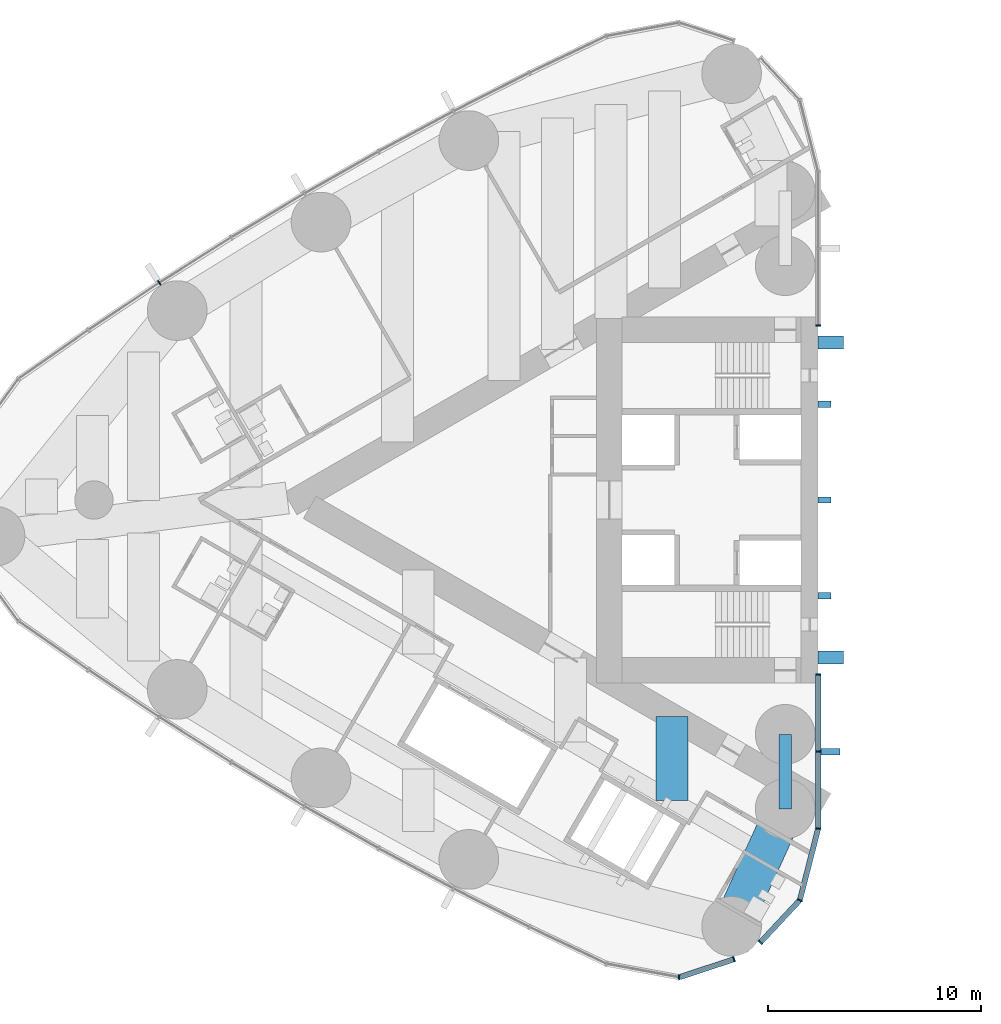
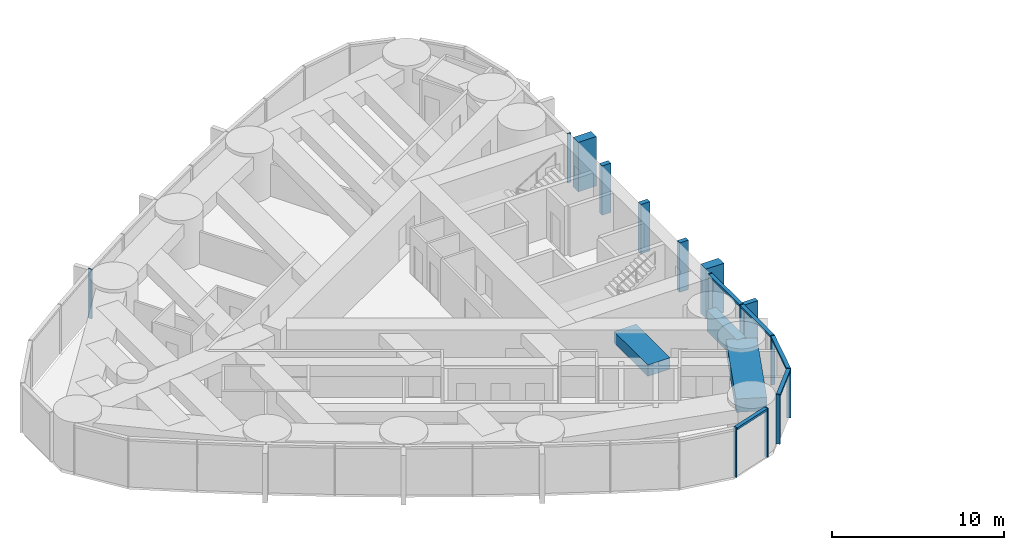
# One storey, part 4 of 19: 20 members, 3 beams, 4 elements without a shape of their own.
"""IFC4 building model written with IfcOpenShell, lengths in metres."""

from ifc_helpers import new_model, si_unit, direction, frame, origin, origin_2d, place, context, subcontext, project, spatial, rectangle, hollow_rectangle, extrude, material, material_profile, profile_set, type_object, element, aggregate, save


model = new_model("IFC4")

# Units and contexts
model_context = context("Model", 3, precision=1e-05, world=origin(), true_north=direction((0.0, 1.0)))
body_context = subcontext(model_context, "Body", "Model", "MODEL_VIEW")
ifc_project = project(units=[si_unit("LENGTHUNIT", "METRE"), si_unit("AREAUNIT", "SQUARE_METRE"), si_unit("VOLUMEUNIT", "CUBIC_METRE"), si_unit("PLANEANGLEUNIT", "RADIAN"), si_unit("MASSUNIT", "GRAM", prefix="KILO")], contexts=[model_context])

# Site, building, storey
site_placement = place(None, origin())
site = spatial("IfcSite", under=ifc_project, at=site_placement, CompositionType="ELEMENT")
building_placement = place(site_placement, origin())
building = spatial("IfcBuilding", under=site, at=building_placement, Name="Lancet Gate Hotel", CompositionType="ELEMENT")
storey_placement = place(building_placement, frame((0.0, 0.0, 159.800048828125)))
storey = spatial("IfcBuildingStorey", under=building, at=storey_placement, Name="L42", CompositionType="ELEMENT", Elevation=159.800048828125)

# Curtain wall, member
ifc_material_1 = material(Name="Aluminium curtain wall", Category="aluminium")
curtain_wall_type = type_object("IfcCurtainWallType", Name="Tower unitised curtain wall", PredefinedType="USERDEFINED", material=ifc_material_1)
curtain_wall_1_placement = place(storey_placement, origin())
curtain_wall_1 = element("IfcCurtainWall", 1, at=curtain_wall_1_placement, inside=storey, type_object=curtain_wall_type, Name="T1 L42 curtain wall 1", ObjectType="UNITISED CURTAIN WALL", PredefinedType="USERDEFINED")
ifc_material_2 = material(Name="Aluminium mullion", Category="aluminium")
ifc_material_profile_1 = material_profile(ifc_material_2, rectangle(XDim=0.06494140625, YDim=0.25, at=origin_2d()), Name="MULLION 65x250")
ifc_profile_set_1 = profile_set([ifc_material_profile_1], Name="Aluminium mullion")
member_type_1 = type_object("IfcMemberType", Name="Aluminium mullion 65x250", PredefinedType="MULLION", material=ifc_profile_set_1)
member_1_placement = place(storey_placement, frame((-27.5, 8.199951171875, 0.0), z_axis=(0.0, 0.0, 1.0), x_axis=(0.0, 1.0, 0.0)))
member_1 = element("IfcMember", 2, at=member_1_placement, type_object=member_type_1, Name="T1 L42 curtain wall 1 mullion 1", PredefinedType="MULLION", context=body_context, shape_type="SweptSolid", body=[
    extrude(rectangle(XDim=0.06494140625, YDim=0.25, at=origin_2d()), origin(), (0.0, 0.0, 1.0), 3.5),
])
aggregate(curtain_wall_1, [member_1])

curtain_wall_2_placement = place(storey_placement, origin())
curtain_wall_2 = element("IfcCurtainWall", 3, at=curtain_wall_2_placement, inside=storey, type_object=curtain_wall_type, Name="T1 L42 curtain wall 2", ObjectType="UNITISED CURTAIN WALL", PredefinedType="USERDEFINED")
member_2_placement = place(storey_placement, frame((-58.43212890625, 10.194091796875, 0.0), z_axis=(0.0, 0.0, 1.0), x_axis=(-0.839331119324, -0.54362052218, 0.0)))
member_2 = element("IfcMember", 4, at=member_2_placement, type_object=member_type_1, Name="T1 L42 curtain wall 2 mullion 9", PredefinedType="MULLION", context=body_context, shape_type="SweptSolid", body=[
    extrude(rectangle(XDim=0.06494140625, YDim=0.25, at=origin_2d()), origin(), (0.0, 0.0, 1.0), 3.5),
])
aggregate(curtain_wall_2, [member_2])

# Curtain wall, members
curtain_wall_3_placement = place(storey_placement, origin())
curtain_wall_3 = element("IfcCurtainWall", 5, at=curtain_wall_3_placement, inside=storey, type_object=curtain_wall_type, Name="T1 L42 curtain wall 3", ObjectType="UNITISED CURTAIN WALL", PredefinedType="USERDEFINED")
member_3_placement = place(storey_placement, frame((-34.02783203125, -22.407470703125, 0.0), z_axis=(0.0, 0.0, 1.0), x_axis=(0.999350473622, 0.036036521361, 0.0)))
member_3 = element("IfcMember", 6, at=member_3_placement, type_object=member_type_1, Name="T1 L42 curtain wall 3 mullion 11", PredefinedType="MULLION", context=body_context, shape_type="SweptSolid", body=[
    extrude(rectangle(XDim=0.06494140625, YDim=0.25, at=origin_2d()), origin(), (0.0, 0.0, 1.0), 3.5),
])
member_4_placement = place(storey_placement, frame((-31.45263671875, -21.5595703125, 0.0), z_axis=(0.0, 0.0, 1.0), x_axis=(0.949848055084, 0.312711803827, 0.0)))
member_4 = element("IfcMember", 7, at=member_4_placement, type_object=member_type_1, Name="T1 L42 curtain wall 3 mullion 12", PredefinedType="MULLION", context=body_context, shape_type="SweptSolid", body=[
    extrude(rectangle(XDim=0.06494140625, YDim=0.25, at=origin_2d()), origin(), (0.0, 0.0, 1.0), 3.5),
])

curtain_wall_4_placement = place(storey_placement, origin())
curtain_wall_4 = element("IfcCurtainWall", 8, at=curtain_wall_4_placement, inside=storey, type_object=curtain_wall_type, Name="T1 L42 curtain wall 4", ObjectType="UNITISED CURTAIN WALL", PredefinedType="USERDEFINED")
member_5_placement = place(storey_placement, frame((-30.210693359375, -20.765625, 0.0), z_axis=(0.0, 0.0, 1.0), x_axis=(0.682844962172, 0.730563315282, 0.0)))
member_5 = element("IfcMember", 9, at=member_5_placement, type_object=member_type_1, Name="T1 L42 curtain wall 4 mullion 1", PredefinedType="MULLION", context=body_context, shape_type="SweptSolid", body=[
    extrude(rectangle(XDim=0.06494140625, YDim=0.25, at=origin_2d()), origin(), (0.0, 0.0, 1.0), 3.5),
])
member_6_placement = place(storey_placement, frame((-28.360595703125, -18.7861328125, 0.0), z_axis=(0.0, 0.0, 1.0), x_axis=(0.452507601198, 0.891760545695, 0.0)))
member_6 = element("IfcMember", 10, at=member_6_placement, type_object=member_type_1, Name="T1 L42 curtain wall 4 mullion 2", PredefinedType="MULLION", context=body_context, shape_type="SweptSolid", body=[
    extrude(rectangle(XDim=0.06494140625, YDim=0.25, at=origin_2d()), origin(), (0.0, 0.0, 1.0), 3.5),
])
member_7_placement = place(storey_placement, frame((-27.5, -15.42333984375, 0.0), z_axis=(0.0, 0.0, 1.0), x_axis=(0.122467472845, 0.992472527627, 0.0)))
member_7 = element("IfcMember", 11, at=member_7_placement, type_object=member_type_1, Name="T1 L42 curtain wall 4 mullion 3", PredefinedType="MULLION", context=body_context, shape_type="SweptSolid", body=[
    extrude(rectangle(XDim=0.06494140625, YDim=0.25, at=origin_2d()), origin(), (0.0, 0.0, 1.0), 3.5),
])
member_8_placement = place(storey_placement, frame((-27.5, -11.811767578125, 0.0), z_axis=(0.0, 0.0, 1.0), x_axis=(0.0, 1.0, 0.0)))
member_8 = element("IfcMember", 12, at=member_8_placement, type_object=member_type_1, Name="T1 L42 curtain wall 4 mullion 4", PredefinedType="MULLION", context=body_context, shape_type="SweptSolid", body=[
    extrude(rectangle(XDim=0.06494140625, YDim=0.25, at=origin_2d()), origin(), (0.0, 0.0, 1.0), 3.5),
])
member_9_placement = place(storey_placement, frame((-27.5, -8.199951171875, 0.0), z_axis=(0.0, 0.0, 1.0), x_axis=(0.0, 1.0, 0.0)))
member_9 = element("IfcMember", 13, at=member_9_placement, type_object=member_type_1, Name="T1 L42 curtain wall 4 mullion 5", PredefinedType="MULLION", context=body_context, shape_type="SweptSolid", body=[
    extrude(rectangle(XDim=0.06494140625, YDim=0.25, at=origin_2d()), origin(), (0.0, 0.0, 1.0), 3.5),
])

# Member
ifc_material_3 = material(Name="Aluminium transom", Category="aluminium")
ifc_material_profile_2 = material_profile(ifc_material_3, rectangle(XDim=0.25, YDim=0.14990234375, at=origin_2d()), Name="TRANSOM 250x150")
ifc_profile_set_2 = profile_set([ifc_material_profile_2], Name="Aluminium transom")
member_type_2 = type_object("IfcMemberType", Name="Aluminium transom 250x150", PredefinedType="USERDEFINED", material=ifc_profile_set_2)
member_10_placement = place(storey_placement, frame((-33.9970703125, -22.397216796875, 3.425048828125), z_axis=(0.949857661259, 0.312682623993, 0.0), x_axis=(-0.312682623993, 0.949857661259, 0.0)))
member_10 = element("IfcMember", 14, at=member_10_placement, type_object=member_type_2, Name="T1 L42 curtain wall 3 transom 11", ObjectType="TRANSOM", PredefinedType="USERDEFINED", context=body_context, shape_type="SweptSolid", body=[
    extrude(rectangle(XDim=0.25, YDim=0.14990234375, at=origin_2d()), origin(), (0.0, 0.0, 1.0), 2.64599609375),
])

aggregate(curtain_wall_3, [member_3, member_4, member_10])

member_11_placement = place(storey_placement, frame((-30.188720703125, -20.741943359375, 3.425048828125), z_axis=(0.682841037959, 0.730566983157, 0.0), x_axis=(-0.730566983157, 0.682841037959, 0.0)))
member_11 = element("IfcMember", 15, at=member_11_placement, type_object=member_type_2, Name="T1 L42 curtain wall 4 transom 1", ObjectType="TRANSOM", PredefinedType="USERDEFINED", context=body_context, shape_type="SweptSolid", body=[
    extrude(rectangle(XDim=0.25, YDim=0.14990234375, at=origin_2d()), origin(), (0.0, 0.0, 1.0), 2.644775390625),
])

member_12_placement = place(storey_placement, frame((-28.3525390625, -18.754638671875, 3.425048828125), z_axis=(0.247928683912, 0.968778286139, 0.0), x_axis=(-0.968778286139, 0.247928683912, 0.0)))
member_12 = element("IfcMember", 16, at=member_12_placement, type_object=member_type_2, Name="T1 L42 curtain wall 4 transom 2", ObjectType="TRANSOM", PredefinedType="USERDEFINED", context=body_context, shape_type="SweptSolid", body=[
    extrude(rectangle(XDim=0.25, YDim=0.14990234375, at=origin_2d()), origin(), (0.0, 0.0, 1.0), 3.40625),
])

member_13_placement = place(storey_placement, frame((-27.5, -15.390869140625, 3.425048828125), z_axis=(0.0, 1.0, 0.0), x_axis=(-1.0, 0.0, 0.0)))
member_13 = element("IfcMember", 17, at=member_13_placement, type_object=member_type_2, Name="T1 L42 curtain wall 4 transom 3", ObjectType="TRANSOM", PredefinedType="USERDEFINED", context=body_context, shape_type="SweptSolid", body=[
    extrude(rectangle(XDim=0.25, YDim=0.14990234375, at=origin_2d()), origin(), (0.0, 0.0, 1.0), 3.546630859375),
])

member_14_placement = place(storey_placement, frame((-27.5, -11.779296875, 3.425048828125), z_axis=(0.0, 1.0, 0.0), x_axis=(-1.0, 0.0, 0.0)))
member_14 = element("IfcMember", 18, at=member_14_placement, type_object=member_type_2, Name="T1 L42 curtain wall 4 transom 4", ObjectType="TRANSOM", PredefinedType="USERDEFINED", context=body_context, shape_type="SweptSolid", body=[
    extrude(rectangle(XDim=0.25, YDim=0.14990234375, at=origin_2d()), origin(), (0.0, 0.0, 1.0), 3.546875),
])

# Beam
ifc_material_4 = material(Name="Concrete C50/60", Category="concrete")
ifc_material_profile_3 = material_profile(ifc_material_4, rectangle(XDim=1.800048828125, YDim=0.949951171875, at=origin_2d()), Name="RC 1800x950")
ifc_profile_set_3 = profile_set([ifc_material_profile_3], Name="Concrete C50/60")
beam_type_1 = type_object("IfcBeamType", Name="Edge beam RC 1800x950", PredefinedType="SPANDREL", material=ifc_profile_set_3)
beam_1_placement = place(storey_placement, frame((-29.050048828125, -14.5, 2.77490234375), z_axis=(-0.414919206993, -0.909858259109, 0.0), x_axis=(0.909858259109, -0.414919206993, 0.0)))
element("IfcBeam", 19, at=beam_1_placement, inside=storey, type_object=beam_type_1, Name="T1 edge beam EB1 L42", PredefinedType="SPANDREL", context=body_context, shape_type="SweptSolid", body=[
    extrude(rectangle(XDim=1.800048828125, YDim=0.949951171875, at=origin_2d()), origin(), (0.0, 0.0, 1.0), 6.062255859375),
])

# Members
ifc_material_5 = material(Name="Concrete C60/75", Category="concrete")
ifc_material_profile_4 = material_profile(ifc_material_5, rectangle(XDim=0.60009765625, YDim=1.199951171875, at=origin_2d()), Name="FIN 600x1200")
ifc_profile_set_4 = profile_set([ifc_material_profile_4], Name="Concrete C60/75")
member_type_3 = type_object("IfcMemberType", Name="Exposed concrete buttress pilaster 600x1200", PredefinedType="USERDEFINED", material=ifc_profile_set_4)
for number, where, z_axis, x_axis, name in (
    (20, (-26.909912109375, 7.39990234375, 0.0), (0.0, 0.0, 1.0), (0.0, 1.0, 0.0), "T1 buttress pilaster S L42"),
    (21, (-26.909912109375, -7.39990234375, 0.0), (0.0, 0.0, 1.0), (0.0, 1.0, 0.0), "T1 buttress pilaster N L42"),
):
    element("IfcMember", number, at=place(storey_placement, frame(where, z_axis=z_axis, x_axis=x_axis)), inside=storey, type_object=member_type_3, Name=name, ObjectType="FIN", PredefinedType="USERDEFINED", context=body_context, shape_type="SweptSolid", body=[
        extrude(rectangle(XDim=0.60009765625, YDim=1.199951171875, at=origin_2d()), origin(), (0.0, 0.0, 1.0), 3.5),
    ])

# Member
ifc_material_6 = material(Name="Precast concrete C50/60", Category="concrete")
ifc_material_profile_5 = material_profile(ifc_material_6, rectangle(XDim=0.300048828125, YDim=0.89990234375, at=origin_2d()), Name="FIN 300x900")
ifc_profile_set_5 = profile_set([ifc_material_profile_5], Name="Precast concrete C50/60")
member_type_4 = type_object("IfcMemberType", Name="Exposed concrete fin 300x900", PredefinedType="USERDEFINED", material=ifc_profile_set_5)
member_15_placement = place(storey_placement, frame((-26.925048828125, -11.811767578125, 0.0), z_axis=(0.0, 0.0, 1.0), x_axis=(0.0, 1.0, 0.0)))
member_15 = element("IfcMember", 22, at=member_15_placement, type_object=member_type_4, Name="T1 L42 curtain wall 4 fin 4", ObjectType="FIN", PredefinedType="USERDEFINED", context=body_context, shape_type="SweptSolid", body=[
    extrude(rectangle(XDim=0.300048828125, YDim=0.89990234375, at=origin_2d()), origin(), (0.0, 0.0, 1.0), 3.5),
])

aggregate(curtain_wall_4, [member_5, member_6, member_7, member_8, member_15, member_9, member_11, member_12, member_13, member_14])

# Members
ifc_material_7 = material(Name="Concrete C60/75", Category="concrete")
ifc_material_profile_6 = material_profile(ifc_material_7, rectangle(XDim=0.300048828125, YDim=0.60009765625, at=origin_2d()), Name="FIN 300x600")
ifc_profile_set_6 = profile_set([ifc_material_profile_6], Name="Concrete C60/75")
member_type_5 = type_object("IfcMemberType", Name="Exposed concrete rib 300x600", PredefinedType="USERDEFINED", material=ifc_profile_set_6)
for number, where, z_axis, x_axis, name in (
    (23, (-27.2099609375, 4.5, 0.0), (0.0, 0.0, 1.0), (0.0, 1.0, 0.0), "T1 core rib 1 L42"),
    (24, (-27.2099609375, 0.0, 0.0), (0.0, 0.0, 1.0), (0.0, 1.0, 0.0), "T1 core rib 2 L42"),
    (25, (-27.2099609375, -4.5, 0.0), (0.0, 0.0, 1.0), (0.0, 1.0, 0.0), "T1 core rib 3 L42"),
):
    element("IfcMember", number, at=place(storey_placement, frame(where, z_axis=z_axis, x_axis=x_axis)), inside=storey, type_object=member_type_5, Name=name, ObjectType="FIN", PredefinedType="USERDEFINED", context=body_context, shape_type="SweptSolid", body=[
        extrude(rectangle(XDim=0.300048828125, YDim=0.60009765625, at=origin_2d()), origin(), (0.0, 0.0, 1.0), 3.5),
    ])

# Beams
ifc_material_8 = material(Name="Concrete C50/60", Category="concrete")
ifc_material_profile_7 = material_profile(ifc_material_8, rectangle(XDim=1.5, YDim=0.800048828125, at=origin_2d()), Name="RC 1500x800")
ifc_profile_set_7 = profile_set([ifc_material_profile_7], Name="Concrete C50/60")
beam_type_2 = type_object("IfcBeamType", Name="Floor beam RC 1500x800", PredefinedType="BEAM", material=ifc_profile_set_7)
beam_2_placement = place(storey_placement, frame((-34.353515625, -10.169921875, 2.849853515625), z_axis=(0.0, -1.0, 0.0), x_axis=(1.0, 0.0, 0.0)))
element("IfcBeam", 26, at=beam_2_placement, inside=storey, type_object=beam_type_2, Name="T1 floor beam F02NA L42", PredefinedType="BEAM", context=body_context, shape_type="SweptSolid", body=[
    extrude(rectangle(XDim=1.5, YDim=0.800048828125, at=origin_2d()), origin(), (0.0, 0.0, 1.0), 3.94580078125),
])
ifc_material_9 = material(Name="Steel S460QL", Category="steel")
ifc_material_profile_8 = material_profile(ifc_material_9, hollow_rectangle(XDim=0.60009765625, YDim=1.5, WallThickness=0.050048828125, at=origin_2d()), Name="BOX 1500x600x50")
ifc_profile_set_8 = profile_set([ifc_material_profile_8], Name="Steel S460QL")
beam_type_3 = type_object("IfcBeamType", Name="Inner-face link beam BOX 1500x600x50", PredefinedType="BEAM", material=ifc_profile_set_8)
beam_3_placement = place(storey_placement, frame((-29.050048828125, -11.0, 2.5), z_axis=(0.0, -1.0, 0.0), x_axis=(1.0, 0.0, 0.0)))
element("IfcBeam", 27, at=beam_3_placement, inside=storey, type_object=beam_type_3, Name="T1 inner-face link beam LK1 L42", PredefinedType="BEAM", context=body_context, shape_type="SweptSolid", body=[
    extrude(hollow_rectangle(XDim=0.60009765625, YDim=1.5, WallThickness=0.050048828125, at=origin_2d()), origin(), (0.0, 0.0, 1.0), 3.5),
])

save(model, "model.ifc")
